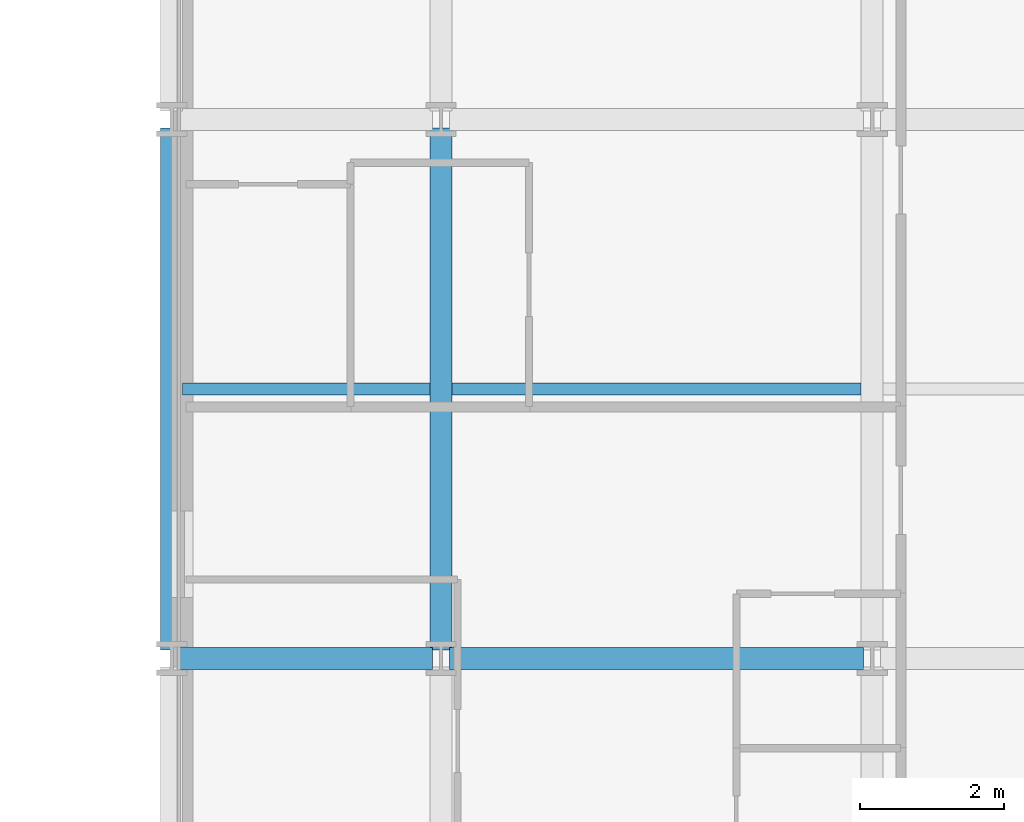
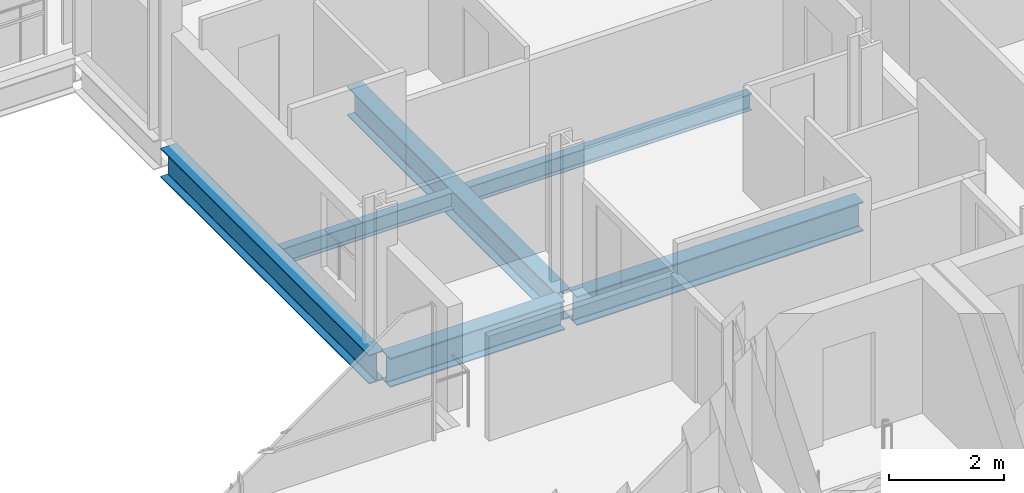
# One storey, part 16 of 41: 6 beams.
"""IFC4 building model written with IfcOpenShell, lengths in metres."""

from ifc_helpers import new_model, si_unit, direction, frame, origin, origin_2d, place, context, subcontext, project, spatial, i_section, extrude, material, material_profile, profile_set, type_object, element, save


model = new_model("IFC4")

# Units and contexts
model_context = context("Model", 3, precision=1e-05, world=origin(), true_north=direction((0.0, 1.0)))
body_context = subcontext(model_context, "Body", "Model", "MODEL_VIEW")
ifc_project = project(units=[si_unit("LENGTHUNIT", "METRE"), si_unit("AREAUNIT", "SQUARE_METRE"), si_unit("VOLUMEUNIT", "CUBIC_METRE"), si_unit("PLANEANGLEUNIT", "RADIAN"), si_unit("MASSUNIT", "GRAM", prefix="KILO")], contexts=[model_context])

# Site, building, storey
site_placement = place(None, origin())
site = spatial("IfcSite", under=ifc_project, at=site_placement, CompositionType="ELEMENT")
building_placement = place(site_placement, origin())
building = spatial("IfcBuilding", under=site, at=building_placement, Name="Brevholm Reach", CompositionType="ELEMENT")
storey_placement = place(building_placement, frame((0.0, 0.0, 49.699951171875)))
storey = spatial("IfcBuildingStorey", under=building, at=storey_placement, Name="L13", CompositionType="ELEMENT", Elevation=49.699951171875)

# Beams
ifc_material_1 = material(Name="Structural Steel S355J2", Category="steel")
ifc_material_profile_1 = material_profile(ifc_material_1, i_section(OverallWidth=0.17138671875, OverallDepth=0.35498046875, WebThickness=0.00732421875, FlangeThickness=0.011474609375, FilletRadius=0.01025390625, at=origin_2d()), Name="UKB 356x171x51")
ifc_profile_set_1 = profile_set([ifc_material_profile_1], Name="Structural Steel S355J2")
beam_type_1 = type_object("IfcBeamType", Name="BM-B356", PredefinedType="BEAM", material=ifc_profile_set_1)
beam_1_placement = place(storey_placement, frame((38.403564453125, 19.75, -0.407470703125), z_axis=(1.0, 0.0, 0.0), x_axis=(0.0, 1.0, 0.0)))
element("IfcBeam", 1, at=beam_1_placement, inside=storey, type_object=beam_type_1, Name="L13 Composite Secondary Floor Beam", PredefinedType="BEAM", context=body_context, shape_type="SweptSolid", body=[
    extrude(i_section(OverallWidth=0.17138671875, OverallDepth=0.35498046875, WebThickness=0.00732421875, FlangeThickness=0.011474609375, FilletRadius=0.01025390625, at=origin_2d()), origin(), (0.0, 0.0, 1.0), 3.44287109375),
])
beam_2_placement = place(storey_placement, frame((42.153564453125, 19.75, -0.407470703125), z_axis=(1.0, 0.0, 0.0), x_axis=(0.0, 1.0, 0.0)))
element("IfcBeam", 2, at=beam_2_placement, inside=storey, type_object=beam_type_1, Name="L13 Composite Secondary Floor Beam", PredefinedType="BEAM", context=body_context, shape_type="SweptSolid", body=[
    extrude(i_section(OverallWidth=0.17138671875, OverallDepth=0.35498046875, WebThickness=0.00732421875, FlangeThickness=0.011474609375, FilletRadius=0.01025390625, at=origin_2d()), origin(), (0.0, 0.0, 1.0), 5.69287109375),
])
ifc_material_2 = material(Name="Structural Steel S355J2", Category="steel")
ifc_material_profile_2 = material_profile(ifc_material_2, i_section(OverallWidth=0.30712890625, OverallDepth=0.6201171875, WebThickness=0.01416015625, FlangeThickness=0.023681640625, FilletRadius=0.0166015625, at=origin_2d()), Name="UKB 610x305x179")
ifc_profile_set_2 = profile_set([ifc_material_profile_2], Name="Structural Steel S355J2")
beam_type_2 = type_object("IfcBeamType", Name="BM-UKB610H", PredefinedType="USERDEFINED", material=ifc_profile_set_2)
beam_3_placement = place(storey_placement, frame((38.3701171875, 16.0, -0.5400390625), z_axis=(1.0, 0.0, 0.0), x_axis=(0.0, 1.0, 0.0)))
element("IfcBeam", 3, at=beam_3_placement, inside=storey, type_object=beam_type_2, Name="L13 G-06 Framing Beam", ObjectType="GIRDER", PredefinedType="USERDEFINED", context=body_context, shape_type="SweptSolid", body=[
    extrude(i_section(OverallWidth=0.30712890625, OverallDepth=0.6201171875, WebThickness=0.01416015625, FlangeThickness=0.023681640625, FilletRadius=0.0166015625, at=origin_2d()), origin(), (0.0, 0.0, 1.0), 3.509765625),
])
beam_4_placement = place(storey_placement, frame((42.1201171875, 16.0, -0.5400390625), z_axis=(1.0, 0.0, 0.0), x_axis=(0.0, 1.0, 0.0)))
element("IfcBeam", 4, at=beam_4_placement, inside=storey, type_object=beam_type_2, Name="L13 G-06 Framing Beam", ObjectType="GIRDER", PredefinedType="USERDEFINED", context=body_context, shape_type="SweptSolid", body=[
    extrude(i_section(OverallWidth=0.30712890625, OverallDepth=0.6201171875, WebThickness=0.01416015625, FlangeThickness=0.023681640625, FilletRadius=0.0166015625, at=origin_2d()), origin(), (0.0, 0.0, 1.0), 5.759765625),
])
for number, where, z_axis, x_axis, name in (
    (5, (38.25, 16.1201171875, -0.5400390625), (0.0, 1.0, 0.0), (-1.0, 0.0, 0.0), "L13 G-06 Framing Beam"),
    (6, (42.0, 16.1201171875, -0.5400390625), (0.0, 1.0, 0.0), (-1.0, 0.0, 0.0), "L13 G-06 Framing Beam"),
):
    element("IfcBeam", number, at=place(storey_placement, frame(where, z_axis=z_axis, x_axis=x_axis)), inside=storey, type_object=beam_type_2, Name=name, ObjectType="GIRDER", PredefinedType="USERDEFINED", context=body_context, shape_type="SweptSolid", body=[
        extrude(i_section(OverallWidth=0.30712890625, OverallDepth=0.6201171875, WebThickness=0.01416015625, FlangeThickness=0.023681640625, FilletRadius=0.0166015625, at=origin_2d()), origin(), (0.0, 0.0, 1.0), 7.259765625),
    ])

save(model, "model.ifc")
